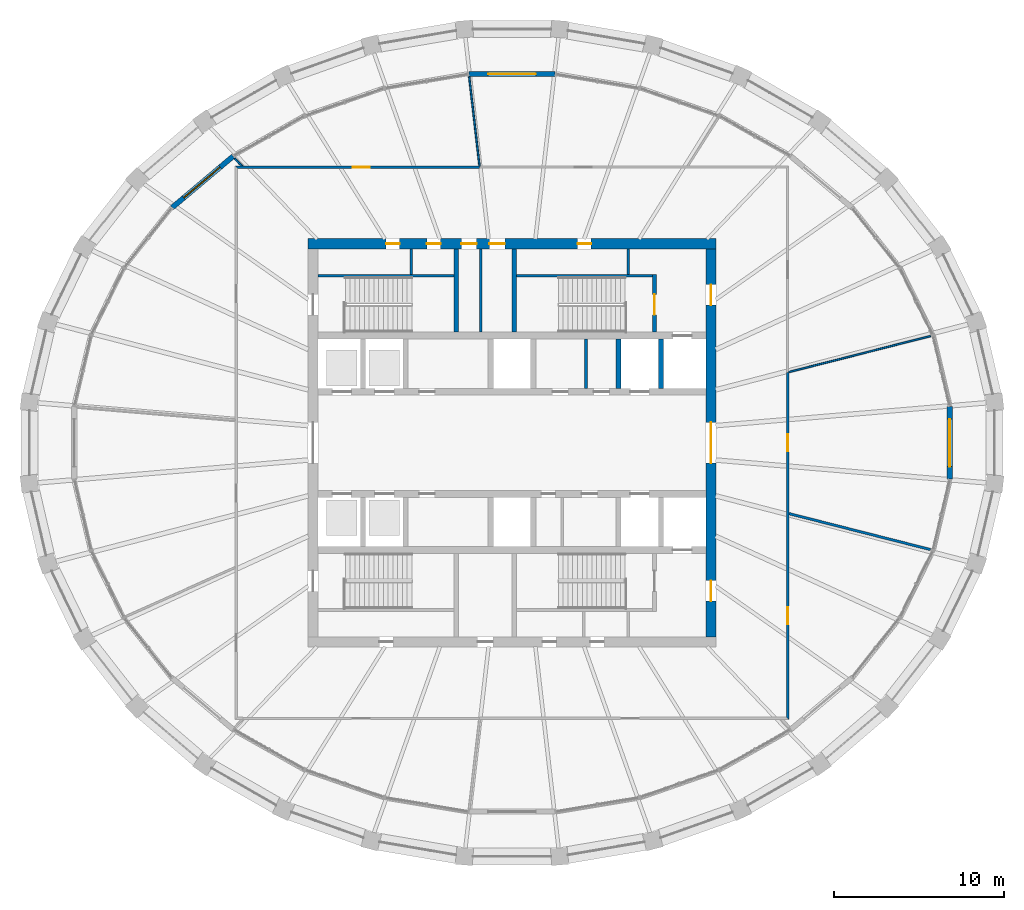
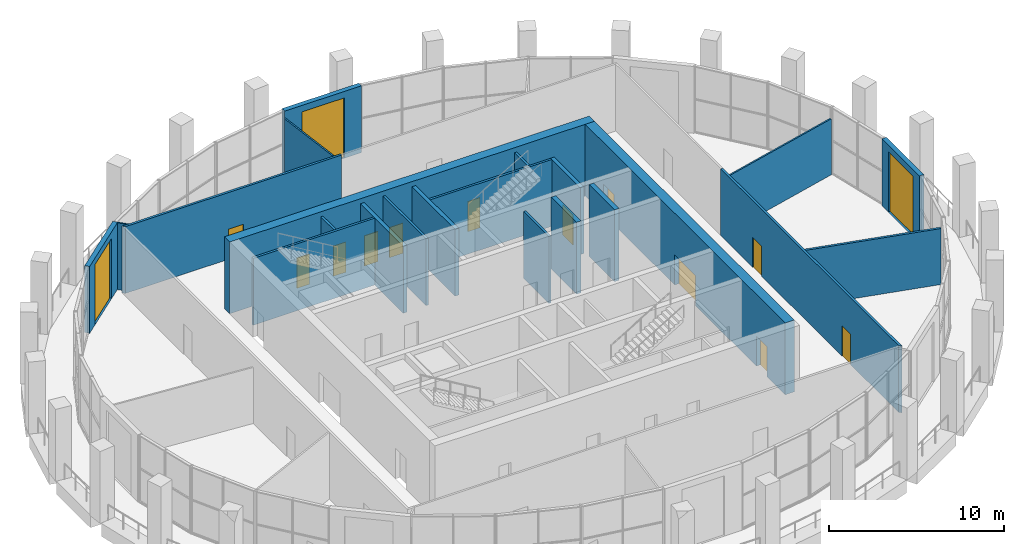
# One storey, part 12 of 16: 22 walls, 15 doors, 15 openings.
"""IFC4 building model written with IfcOpenShell, lengths in metres."""

from ifc_helpers import new_model, si_unit, direction, frame, frame_2d, origin, place, context, subcontext, project, spatial, polyline, rectangle, outline, extrude, material, layer, layer_set, type_object, element, fill, save


model = new_model("IFC4")

# Units and contexts
model_context = context("Model", 3, precision=1e-05, world=origin(), true_north=direction((0.0, 1.0)))
body_context = subcontext(model_context, "Body", "Model", "MODEL_VIEW")
ifc_project = project(units=[si_unit("LENGTHUNIT", "METRE"), si_unit("AREAUNIT", "SQUARE_METRE"), si_unit("VOLUMEUNIT", "CUBIC_METRE"), si_unit("PLANEANGLEUNIT", "RADIAN"), si_unit("MASSUNIT", "GRAM", prefix="KILO")], contexts=[model_context])

# Site, building, storey
site_placement = place(None, origin())
site = spatial("IfcSite", under=ifc_project, at=site_placement, CompositionType="ELEMENT")
building_placement = place(site_placement, origin())
building = spatial("IfcBuilding", under=site, at=building_placement, Name="Halqa Exchange Tower", CompositionType="ELEMENT")
storey_placement = place(building_placement, frame((0.0, 0.0, 333.300048828125)))
storey = spatial("IfcBuildingStorey", under=building, at=storey_placement, Name="L78", CompositionType="ELEMENT", Elevation=333.300048828125)

# Wall
ifc_material_1 = material(Name="Gypsum board")
ifc_layer_1 = layer(ifc_material_1, 0.14990234375)
ifc_layer_set_1 = layer_set([ifc_layer_1], Name="Gypsum board")
wall_type_1 = type_object("IfcWallType", Name="Acoustic partition 150", PredefinedType="PARTITIONING", material=ifc_layer_set_1)
wall_1_placement = place(storey_placement, frame((16.256591796875, -4.154296875, 0.0), z_axis=(0.0, 0.0, 1.0), x_axis=(0.969147734157, -0.246480565922, 0.0)))
element("IfcWall", 1, at=wall_1_placement, inside=storey, type_object=wall_type_1, Name="L78-PWL-016", PredefinedType="PARTITIONING", context=body_context, shape_type="SweptSolid", body=[
    extrude(outline(polyline([(0.0380859375, -0.074951171875), (1.748046875, -0.074951171875), (3.4580078125, -0.074951171875), (5.168212890625, -0.074951171875), (6.878173828125, -0.074951171875), (8.588134765625, -0.074951171875), (8.6015625, -0.011474609375), (8.6015625, 0.074951171875), (6.88134765625, 0.074951171875), (5.160888671875, 0.074951171875), (3.440673828125, 0.074951171875), (1.72021484375, 0.074951171875), (0.0, 0.074951171875), (0.0, 0.07470703125), (0.0380859375, -0.074951171875)])), origin(), (0.0, 0.0, 1.0), 3.89697265625),
])

# Wall, opening, door
ifc_material_2 = material(Name="Fire-rated gypsum board")
ifc_layer_2 = layer(ifc_material_2, 0.14990234375)
ifc_layer_set_2 = layer_set([ifc_layer_2], Name="Fire-rated gypsum board")
wall_type_2 = type_object("IfcWallType", Name="Fire partition EI 60 150", PredefinedType="PARTITIONING", material=ifc_layer_set_2)
wall_2_placement = place(storey_placement, frame((-16.27490234375, 16.199951171875, 0.0), z_axis=(0.0, 0.0, 1.0), x_axis=(1.0, 0.0, 0.0)))
wall_2 = element("IfcWall", 2, at=wall_2_placement, inside=storey, type_object=wall_type_2, Name="L78-PWL-005", PredefinedType="PARTITIONING", context=body_context, shape_type="SweptSolid", body=[
    extrude(outline(polyline([(14.375, 0.074951171875), (12.578125, 0.074951171875), (10.78125, 0.074951171875), (8.984375, 0.074951171875), (7.1875, 0.074951171875), (5.390625, 0.074951171875), (3.59375, 0.074951171875), (1.796875, 0.074951171875), (0.0, 0.074951171875), (0.14990234375, -0.074951171875), (1.927978515625, -0.074951171875), (3.7060546875, -0.074951171875), (5.484375, -0.074951171875), (7.262451171875, -0.074951171875), (9.04052734375, -0.074951171875), (10.81884765625, -0.074951171875), (12.596923828125, -0.074951171875), (14.375, -0.074951171875), (14.375, 0.074951171875)])), origin(), (0.0, 0.0, 1.0), 4.64990234375),
])
opening_1_placement = place(wall_2_placement, frame((6.925048828125, 0.0, 0.0)))
opening_1 = element("IfcOpeningElement", 3, at=opening_1_placement, cuts=wall_2, Name="Opening L78-10", PredefinedType="OPENING", context=body_context, shape_type="SweptSolid", body=[
    extrude(rectangle(XDim=1.0, YDim=2.10009765625, at=frame_2d((0.5, 1.050048828125))), frame((0.0, 0.0869140625, 0.0), z_axis=(0.0, -1.0, 0.0), x_axis=(1.0, 0.0, 0.0)), (0.0, 0.0, 1.0), 0.173828125),
])
ifc_material_3 = material(Name="Steel fire door leaf", Category="steel")
door_type_1 = type_object("IfcDoorType", Name="Fire door FD30S 1000 x 2100", OperationType="SINGLE_SWING_LEFT", PredefinedType="DOOR", material=ifc_material_3)
door_1_placement = place(opening_1_placement, origin())
door_1 = element("IfcDoor", 4, at=door_1_placement, inside=storey, type_object=door_type_1, Name="L78-IDR-010", OperationType="SINGLE_SWING_LEFT", OverallHeight=2.10009765625, OverallWidth=1.0, PredefinedType="DOOR", context=body_context, shape_type="SweptSolid", body=[
    extrude(rectangle(XDim=1.0, YDim=2.10009765625, at=frame_2d((0.5, 1.050048828125))), frame((0.0, 0.02490234375, 0.0), z_axis=(0.0, -1.0, 0.0), x_axis=(1.0, 0.0, 0.0)), (0.0, 0.0, 1.0), 0.050048828125),
])
fill(opening_1, door_1)

# Wall, openings, doors
wall_3_placement = place(storey_placement, frame((16.199951171875, -16.27490234375, 0.0), z_axis=(0.0, 0.0, 1.0), x_axis=(0.0, 1.0, 0.0)))
wall_3 = element("IfcWall", 5, at=wall_3_placement, inside=storey, type_object=wall_type_2, Name="L78-PWL-015", PredefinedType="PARTITIONING", context=body_context, shape_type="SweptSolid", body=[
    extrude(outline(polyline([(20.414794921875, 0.074951171875), (18.572509765625, 0.074951171875), (16.730224609375, 0.074951171875), (14.887939453125, 0.074951171875), (13.045654296875, 0.074951171875), (11.203369140625, 0.074951171875), (9.361328125, 0.074951171875), (7.51904296875, 0.074951171875), (5.6767578125, 0.074951171875), (3.83447265625, 0.074951171875), (1.9921875, 0.074951171875), (0.14990234375, 0.074951171875), (0.0, -0.074951171875), (1.85595703125, -0.074951171875), (3.711669921875, -0.074951171875), (5.567626953125, -0.074951171875), (7.423583984375, -0.074951171875), (9.279541015625, -0.074951171875), (11.13525390625, -0.074951171875), (12.9912109375, -0.074951171875), (14.84716796875, -0.074951171875), (16.703125, -0.074951171875), (18.558837890625, -0.074951171875), (20.414794921875, -0.074951171875), (20.414794921875, 0.074951171875)])), origin(), (0.0, 0.0, 1.0), 4.64990234375),
])
opening_2_placement = place(wall_3_placement, frame((5.60498046875, 0.0, 0.0)))
opening_2 = element("IfcOpeningElement", 6, at=opening_2_placement, cuts=wall_3, Name="Opening L78-06", PredefinedType="OPENING", context=body_context, shape_type="SweptSolid", body=[
    extrude(rectangle(XDim=1.0, YDim=2.10009765625, at=frame_2d((0.5, 1.050048828125))), frame((0.0, 0.0869140625, 0.0), z_axis=(0.0, -1.0, 0.0), x_axis=(1.0, 0.0, 0.0)), (0.0, 0.0, 1.0), 0.173828125),
])
opening_3_placement = place(wall_3_placement, frame((15.77490234375, 0.0, 0.0)))
opening_3 = element("IfcOpeningElement", 7, at=opening_3_placement, cuts=wall_3, Name="Opening L78-07", PredefinedType="OPENING", context=body_context, shape_type="SweptSolid", body=[
    extrude(rectangle(XDim=1.0, YDim=2.10009765625, at=frame_2d((0.5, 1.050048828125))), frame((0.0, 0.0869140625, 0.0), z_axis=(0.0, -1.0, 0.0), x_axis=(1.0, 0.0, 0.0)), (0.0, 0.0, 1.0), 0.173828125),
])
door_2_placement = place(opening_2_placement, frame((1.0, 0.0, 0.0), z_axis=(0.0, 0.0, 1.0), x_axis=(-1.0, 0.0, 0.0)))
door_2 = element("IfcDoor", 8, at=door_2_placement, inside=storey, type_object=door_type_1, Name="L78-IDR-006", OperationType="SINGLE_SWING_RIGHT", OverallHeight=2.10009765625, OverallWidth=1.0, PredefinedType="DOOR", context=body_context, shape_type="SweptSolid", body=[
    extrude(rectangle(XDim=1.0, YDim=2.10009765625, at=frame_2d((0.5, 1.050048828125))), frame((0.0, 0.02490234375, 0.0), z_axis=(0.0, -1.0, 0.0), x_axis=(1.0, 0.0, 0.0)), (0.0, 0.0, 1.0), 0.050048828125),
])
fill(opening_2, door_2)
door_3_placement = place(opening_3_placement, frame((1.0, 0.0, 0.0), z_axis=(0.0, 0.0, 1.0), x_axis=(-1.0, 0.0, 0.0)))
door_3 = element("IfcDoor", 9, at=door_3_placement, inside=storey, type_object=door_type_1, Name="L78-IDR-007", OperationType="SINGLE_SWING_RIGHT", OverallHeight=2.10009765625, OverallWidth=1.0, PredefinedType="DOOR", context=body_context, shape_type="SweptSolid", body=[
    extrude(rectangle(XDim=1.0, YDim=2.10009765625, at=frame_2d((0.5, 1.050048828125))), frame((0.0, 0.02490234375, 0.0), z_axis=(0.0, -1.0, 0.0), x_axis=(1.0, 0.0, 0.0)), (0.0, 0.0, 1.0), 0.050048828125),
])
fill(opening_3, door_3)

# Walls
ifc_layer_3 = layer(ifc_material_1, 0.10009765625)
ifc_layer_set_3 = layer_set([ifc_layer_3], Name="Gypsum board")
wall_type_3 = type_object("IfcWallType", Name="Partition 100 gypsum", PredefinedType="PARTITIONING", material=ifc_layer_set_3)
wall_4_placement = place(storey_placement, frame((-16.306884765625, 16.72119140625, 0.0), z_axis=(0.0, 0.0, 1.0), x_axis=(0.697208357929, -0.71686854139, 0.0)))
element("IfcWall", 10, at=wall_4_placement, inside=storey, type_object=wall_type_3, Name="L78-PWL-001", PredefinedType="PARTITIONING", context=body_context, shape_type="SweptSolid", body=[
    extrude(outline(polyline([(0.0, -0.050048828125), (0.57373046875, -0.050048828125), (0.626953125, 0.004638671875), (0.626953125, 0.004638671875), (0.670654296875, 0.049560546875), (0.670654296875, 0.050048828125), (0.0166015625, 0.050048828125), (0.003662109375, 0.000732421875), (0.0, -0.049072265625), (0.0, -0.050048828125)])), origin(), (0.0, 0.0, 1.0), 4.64990234375),
])
wall_5_placement = place(storey_placement, frame((-1.90625, 16.254638671875, 0.0), z_axis=(0.0, 0.0, 1.0), x_axis=(-0.114877509291, 0.993379664509, 0.0)))
element("IfcWall", 11, at=wall_5_placement, inside=storey, type_object=wall_type_3, Name="L78-PWL-011", PredefinedType="PARTITIONING", context=body_context, shape_type="SweptSolid", body=[
    extrude(outline(polyline([(0.0, -0.050048828125), (1.766357421875, -0.050048828125), (3.53271484375, -0.050048828125), (5.299072265625, -0.050048828125), (5.302490234375, -0.021484375), (5.302490234375, 0.050048828125), (3.543701171875, 0.050048828125), (1.784912109375, 0.050048828125), (0.0263671875, 0.050048828125), (0.01953125, -0.008544921875), (0.004638671875, -0.0068359375), (0.0, -0.046630859375), (0.0, -0.050048828125)])), origin(), (0.0, 0.0, 1.0), 4.14990234375),
])
wall_6_placement = place(storey_placement, frame((16.262939453125, 4.156005859375, 0.0), z_axis=(0.0, 0.0, 1.0), x_axis=(0.969153814145, 0.246456658519, 0.0)))
element("IfcWall", 12, at=wall_6_placement, inside=storey, type_object=wall_type_3, Name="L78-PWL-017", PredefinedType="PARTITIONING", context=body_context, shape_type="SweptSolid", body=[
    extrude(outline(polyline([(8.595458984375, -0.050048828125), (8.595458984375, 0.00927734375), (8.5869140625, 0.050048828125), (6.871337890625, 0.050048828125), (5.156005859375, 0.050048828125), (3.440673828125, 0.050048828125), (1.72509765625, 0.050048828125), (0.009765625, 0.050048828125), (0.0, 0.011962890625), (0.0, -0.0166015625), (0.0078125, -0.0185546875), (0.0, -0.048828125), (0.0, -0.050048828125), (1.718994140625, -0.050048828125), (3.438232421875, -0.050048828125), (5.1572265625, -0.050048828125), (6.87646484375, -0.050048828125), (8.595458984375, -0.050048828125)])), origin(), (0.0, 0.0, 1.0), 3.89697265625),
])
ifc_layer_4 = layer(ifc_material_1, 0.14990234375)
ifc_layer_set_4 = layer_set([ifc_layer_4], Name="Gypsum board")
wall_type_4 = type_object("IfcWallType", Name="Penthouse riser wall 150 gypsum", PredefinedType="PARTITIONING", material=ifc_layer_set_4)
wall_7_placement = place(storey_placement, frame((-1.824951171875, 6.5, 0.0), z_axis=(0.0, 0.0, 1.0), x_axis=(0.0, 1.0, 0.0)))
element("IfcWall", 13, at=wall_7_placement, inside=storey, type_object=wall_type_4, Name="Partition W1.825 N", PredefinedType="PARTITIONING", context=body_context, shape_type="SweptSolid", body=[
    extrude(rectangle(XDim=4.89990234375, YDim=0.14990234375, at=frame_2d((2.449951171875, 0.0))), origin(), (0.0, 0.0, 1.0), 4.64990234375),
])
for number, where, z_axis, x_axis, name in (
    (14, (-5.925048828125, 9.89990234375, 0.0), (0.0, 0.0, 1.0), (0.0, 1.0, 0.0), "Partition W5.925 N"),
    (15, (6.824951171875, 9.89990234375, 0.0), (0.0, 0.0, 1.0), (0.0, 1.0, 0.0), "Firefighting lobby west wall N"),
):
    element("IfcWall", number, at=place(storey_placement, frame(where, z_axis=z_axis, x_axis=x_axis)), inside=storey, type_object=wall_type_4, Name=name, PredefinedType="PARTITIONING", context=body_context, shape_type="SweptSolid", body=[
        extrude(rectangle(XDim=1.5, YDim=0.14990234375, at=frame_2d((0.75, 0.0))), origin(), (0.0, 0.0, 1.0), 4.64990234375),
    ])
wall_8_placement = place(storey_placement, frame((4.35009765625, 3.199951171875, 0.0), z_axis=(0.0, 0.0, 1.0), x_axis=(0.0, 1.0, 0.0)))
element("IfcWall", 16, at=wall_8_placement, inside=storey, type_object=wall_type_4, Name="Freed bay partition NE4.350", PredefinedType="PARTITIONING", context=body_context, shape_type="SweptSolid", body=[
    extrude(rectangle(XDim=2.900146484375, YDim=0.14990234375, at=frame_2d((1.4501953125, 0.0))), origin(), (0.0, 0.0, 1.0), 4.64990234375),
])
ifc_material_4 = material(Name="Concrete C60/75", Category="concrete")
ifc_layer_5 = layer(ifc_material_4, 0.300048828125)
ifc_layer_set_5 = layer_set([ifc_layer_5], Name="Concrete C60/75")
wall_type_5 = type_object("IfcWallType", Name="RC core wall 300", PredefinedType="SHEAR", material=ifc_layer_set_5)
for number, where, z_axis, x_axis, name in (
    (17, (6.25, 3.199951171875, 0.0), (0.0, 0.0, 1.0), (0.0, 1.0, 0.0), "Shaft divider N7"),
    (18, (8.75, 3.199951171875, 0.0), (0.0, 0.0, 1.0), (0.0, 1.0, 0.0), "Shaft divider N8"),
):
    element("IfcWall", number, at=place(storey_placement, frame(where, z_axis=z_axis, x_axis=x_axis)), inside=storey, type_object=wall_type_5, Name=name, PredefinedType="SHEAR", context=body_context, shape_type="SweptSolid", body=[
        extrude(rectangle(XDim=2.900146484375, YDim=0.300048828125, at=frame_2d((1.4501953125, 0.0))), origin(), (0.0, 0.0, 1.0), 5.0),
    ])

# Wall, openings, doors
ifc_layer_6 = layer(ifc_material_4, 0.60009765625)
ifc_layer_set_6 = layer_set([ifc_layer_6], Name="Concrete C60/75")
wall_type_6 = type_object("IfcWallType", Name="RC core wall 600 C60/75", PredefinedType="SHEAR", material=ifc_layer_set_6)
wall_9_placement = place(storey_placement, frame((-12.0, 11.699951171875, 0.0), z_axis=(0.0, 0.0, 1.0), x_axis=(1.0, 0.0, 0.0)))
wall_9 = element("IfcWall", 19, at=wall_9_placement, inside=storey, type_object=wall_type_6, Name="Core wall north", PredefinedType="SHEAR", context=body_context, shape_type="SweptSolid", body=[
    extrude(rectangle(XDim=24.0, YDim=0.60009765625, at=frame_2d((12.0, 0.0))), origin(), (0.0, 0.0, 1.0), 5.0),
])
opening_4_placement = place(wall_9_placement, frame((9.02490234375, 0.0, 0.0)))
opening_4 = element("IfcOpeningElement", 20, at=opening_4_placement, cuts=wall_9, Name="Opening L78-C17", PredefinedType="OPENING", context=body_context, shape_type="SweptSolid", body=[
    extrude(rectangle(XDim=0.89990234375, YDim=2.10009765625, at=frame_2d((0.449951171875, 1.050048828125))), frame((0.0, 0.31201171875, 0.0), z_axis=(0.0, -1.0, 0.0), x_axis=(1.0, 0.0, 0.0)), (0.0, 0.0, 1.0), 0.6240234375),
])
opening_5_placement = place(wall_9_placement, frame((10.675048828125, 0.0, 0.0)))
opening_5 = element("IfcOpeningElement", 21, at=opening_5_placement, cuts=wall_9, Name="Opening L78-C18", PredefinedType="OPENING", context=body_context, shape_type="SweptSolid", body=[
    extrude(rectangle(XDim=0.89990234375, YDim=2.10009765625, at=frame_2d((0.449951171875, 1.050048828125))), frame((0.0, 0.31201171875, 0.0), z_axis=(0.0, -1.0, 0.0), x_axis=(1.0, 0.0, 0.0)), (0.0, 0.0, 1.0), 0.6240234375),
])
opening_6_placement = place(wall_9_placement, frame((4.60009765625, 0.0, 0.0)))
opening_6 = element("IfcOpeningElement", 22, at=opening_6_placement, cuts=wall_9, Name="Opening L78-C19", PredefinedType="OPENING", context=body_context, shape_type="SweptSolid", body=[
    extrude(rectangle(XDim=0.800048828125, YDim=2.10009765625, at=frame_2d((0.39990234375, 1.050048828125))), frame((0.0, 0.31201171875, 0.0), z_axis=(0.0, -1.0, 0.0), x_axis=(1.0, 0.0, 0.0)), (0.0, 0.0, 1.0), 0.6240234375),
])
opening_7_placement = place(wall_9_placement, frame((7.0, 0.0, 0.0)))
opening_7 = element("IfcOpeningElement", 23, at=opening_7_placement, cuts=wall_9, Name="Opening L78-C20", PredefinedType="OPENING", context=body_context, shape_type="SweptSolid", body=[
    extrude(rectangle(XDim=0.800048828125, YDim=2.10009765625, at=frame_2d((0.39990234375, 1.050048828125))), frame((0.0, 0.31201171875, 0.0), z_axis=(0.0, -1.0, 0.0), x_axis=(1.0, 0.0, 0.0)), (0.0, 0.0, 1.0), 0.6240234375),
])
opening_8_placement = place(wall_9_placement, frame((15.85009765625, 0.0, 0.0)))
opening_8 = element("IfcOpeningElement", 24, at=opening_8_placement, cuts=wall_9, Name="Opening L78-C21", PredefinedType="OPENING", context=body_context, shape_type="SweptSolid", body=[
    extrude(rectangle(XDim=0.800048828125, YDim=2.10009765625, at=frame_2d((0.39990234375, 1.050048828125))), frame((0.0, 0.31201171875, 0.0), z_axis=(0.0, -1.0, 0.0), x_axis=(1.0, 0.0, 0.0)), (0.0, 0.0, 1.0), 0.6240234375),
])
ifc_material_5 = material(Name="Timber fire door leaf", Category="wood")
door_type_2 = type_object("IfcDoorType", Name="Core room door FD30 900 x 2100", OperationType="SINGLE_SWING_LEFT", PredefinedType="DOOR", material=ifc_material_5)
door_4_placement = place(opening_4_placement, frame((0.89990234375, 0.0, 0.0), z_axis=(0.0, 0.0, 1.0), x_axis=(-1.0, 0.0, 0.0)))
door_4 = element("IfcDoor", 25, at=door_4_placement, inside=storey, type_object=door_type_2, Name="Core room door", OperationType="SINGLE_SWING_LEFT", OverallHeight=2.10009765625, OverallWidth=0.89990234375, PredefinedType="DOOR", context=body_context, shape_type="SweptSolid", body=[
    extrude(rectangle(XDim=0.89990234375, YDim=2.10009765625, at=frame_2d((0.449951171875, 1.050048828125))), frame((0.0, 0.02490234375, 0.0), z_axis=(0.0, -1.0, 0.0), x_axis=(1.0, 0.0, 0.0)), (0.0, 0.0, 1.0), 0.050048828125),
])
fill(opening_4, door_4)
door_5_placement = place(opening_5_placement, frame((0.89990234375, 0.0, 0.0), z_axis=(0.0, 0.0, 1.0), x_axis=(-1.0, 0.0, 0.0)))
door_5 = element("IfcDoor", 26, at=door_5_placement, inside=storey, type_object=door_type_2, Name="Core room door", OperationType="SINGLE_SWING_RIGHT", OverallHeight=2.10009765625, OverallWidth=0.89990234375, PredefinedType="DOOR", context=body_context, shape_type="SweptSolid", body=[
    extrude(rectangle(XDim=0.89990234375, YDim=2.10009765625, at=frame_2d((0.449951171875, 1.050048828125))), frame((0.0, 0.02490234375, 0.0), z_axis=(0.0, -1.0, 0.0), x_axis=(1.0, 0.0, 0.0)), (0.0, 0.0, 1.0), 0.050048828125),
])
fill(opening_5, door_5)
door_type_3 = type_object("IfcDoorType", Name="Riser door FD60 800 x 2100", OperationType="SINGLE_SWING_LEFT", PredefinedType="DOOR", material=ifc_material_3)
door_6_placement = place(opening_6_placement, frame((0.800048828125, 0.0, 0.0), z_axis=(0.0, 0.0, 1.0), x_axis=(-1.0, 0.0, 0.0)))
door_6 = element("IfcDoor", 27, at=door_6_placement, inside=storey, type_object=door_type_3, Name="Core room door", OperationType="SINGLE_SWING_RIGHT", OverallHeight=2.10009765625, OverallWidth=0.800048828125, PredefinedType="DOOR", context=body_context, shape_type="SweptSolid", body=[
    extrude(rectangle(XDim=0.800048828125, YDim=2.10009765625, at=frame_2d((0.39990234375, 1.050048828125))), frame((0.0, 0.02490234375, 0.0), z_axis=(0.0, -1.0, 0.0), x_axis=(1.0, 0.0, 0.0)), (0.0, 0.0, 1.0), 0.050048828125),
])
fill(opening_6, door_6)
door_7_placement = place(opening_7_placement, frame((0.800048828125, 0.0, 0.0), z_axis=(0.0, 0.0, 1.0), x_axis=(-1.0, 0.0, 0.0)))
door_7 = element("IfcDoor", 28, at=door_7_placement, inside=storey, type_object=door_type_3, Name="Core room door", OperationType="SINGLE_SWING_LEFT", OverallHeight=2.10009765625, OverallWidth=0.800048828125, PredefinedType="DOOR", context=body_context, shape_type="SweptSolid", body=[
    extrude(rectangle(XDim=0.800048828125, YDim=2.10009765625, at=frame_2d((0.39990234375, 1.050048828125))), frame((0.0, 0.02490234375, 0.0), z_axis=(0.0, -1.0, 0.0), x_axis=(1.0, 0.0, 0.0)), (0.0, 0.0, 1.0), 0.050048828125),
])
fill(opening_7, door_7)
door_8_placement = place(opening_8_placement, frame((0.800048828125, 0.0, 0.0), z_axis=(0.0, 0.0, 1.0), x_axis=(-1.0, 0.0, 0.0)))
door_8 = element("IfcDoor", 29, at=door_8_placement, inside=storey, type_object=door_type_3, Name="Core room door", OperationType="SINGLE_SWING_RIGHT", OverallHeight=2.10009765625, OverallWidth=0.800048828125, PredefinedType="DOOR", context=body_context, shape_type="SweptSolid", body=[
    extrude(rectangle(XDim=0.800048828125, YDim=2.10009765625, at=frame_2d((0.39990234375, 1.050048828125))), frame((0.0, 0.02490234375, 0.0), z_axis=(0.0, -1.0, 0.0), x_axis=(1.0, 0.0, 0.0)), (0.0, 0.0, 1.0), 0.050048828125),
])
fill(opening_8, door_8)

wall_10_placement = place(storey_placement, frame((11.699951171875, -11.39990234375, 0.0), z_axis=(0.0, 0.0, 1.0), x_axis=(0.0, 1.0, 0.0)))
wall_10 = element("IfcWall", 30, at=wall_10_placement, inside=storey, type_object=wall_type_6, Name="Core wall east", PredefinedType="SHEAR", context=body_context, shape_type="SweptSolid", body=[
    extrude(rectangle(XDim=22.7998046875, YDim=0.60009765625, at=frame_2d((11.39990234375, 0.0))), origin(), (0.0, 0.0, 1.0), 5.0),
])
opening_9_placement = place(wall_10_placement, frame((10.199951171875, 0.0, 0.0)))
opening_9 = element("IfcOpeningElement", 31, at=opening_9_placement, cuts=wall_10, Name="Opening L78-C10", PredefinedType="OPENING", context=body_context, shape_type="SweptSolid", body=[
    extrude(rectangle(XDim=2.39990234375, YDim=2.10009765625, at=frame_2d((1.199951171875, 1.050048828125))), frame((0.0, 0.31201171875, 0.0), z_axis=(0.0, -1.0, 0.0), x_axis=(1.0, 0.0, 0.0)), (0.0, 0.0, 1.0), 0.6240234375),
])
opening_10_placement = place(wall_10_placement, frame((19.5, 0.0, 0.0)))
opening_10 = element("IfcOpeningElement", 32, at=opening_10_placement, cuts=wall_10, Name="Opening L78-C15", PredefinedType="OPENING", context=body_context, shape_type="SweptSolid", body=[
    extrude(rectangle(XDim=1.199951171875, YDim=2.10009765625, at=frame_2d((0.60009765625, 1.050048828125))), frame((0.0, 0.31201171875, 0.0), z_axis=(0.0, -1.0, 0.0), x_axis=(1.0, 0.0, 0.0)), (0.0, 0.0, 1.0), 0.6240234375),
])
opening_11_placement = place(wall_10_placement, frame((2.10009765625, 0.0, 0.0)))
opening_11 = element("IfcOpeningElement", 33, at=opening_11_placement, cuts=wall_10, Name="Opening L78-C16", PredefinedType="OPENING", context=body_context, shape_type="SweptSolid", body=[
    extrude(rectangle(XDim=1.199951171875, YDim=2.10009765625, at=frame_2d((0.60009765625, 1.050048828125))), frame((0.0, 0.31201171875, 0.0), z_axis=(0.0, -1.0, 0.0), x_axis=(1.0, 0.0, 0.0)), (0.0, 0.0, 1.0), 0.6240234375),
])
door_type_4 = type_object("IfcDoorType", Name="Firefighting lobby door FD90 1200 x 2100", OperationType="SINGLE_SWING_RIGHT", PredefinedType="DOOR", material=ifc_material_3)
door_9_placement = place(opening_10_placement, origin())
door_9 = element("IfcDoor", 34, at=door_9_placement, inside=storey, type_object=door_type_4, Name="Firefighting lobby door", OperationType="SINGLE_SWING_RIGHT", OverallHeight=2.10009765625, OverallWidth=1.199951171875, PredefinedType="DOOR", context=body_context, shape_type="SweptSolid", body=[
    extrude(rectangle(XDim=1.199951171875, YDim=2.10009765625, at=frame_2d((0.60009765625, 1.050048828125))), frame((0.0, 0.02490234375, 0.0), z_axis=(0.0, -1.0, 0.0), x_axis=(1.0, 0.0, 0.0)), (0.0, 0.0, 1.0), 0.050048828125),
])
fill(opening_10, door_9)
door_10_placement = place(opening_11_placement, origin())
door_10 = element("IfcDoor", 35, at=door_10_placement, inside=storey, type_object=door_type_4, Name="Firefighting lobby door", OperationType="SINGLE_SWING_LEFT", OverallHeight=2.10009765625, OverallWidth=1.199951171875, PredefinedType="DOOR", context=body_context, shape_type="SweptSolid", body=[
    extrude(rectangle(XDim=1.199951171875, YDim=2.10009765625, at=frame_2d((0.60009765625, 1.050048828125))), frame((0.0, 0.02490234375, 0.0), z_axis=(0.0, -1.0, 0.0), x_axis=(1.0, 0.0, 0.0)), (0.0, 0.0, 1.0), 0.050048828125),
])
fill(opening_11, door_10)
door_type_5 = type_object("IfcDoorType", Name="Lobby double door FD60 2400 x 2100", OperationType="DOUBLE_DOOR_SINGLE_SWING", PredefinedType="DOOR", material=ifc_material_3)
door_11_placement = place(opening_9_placement, origin())
door_11 = element("IfcDoor", 36, at=door_11_placement, inside=storey, type_object=door_type_5, Name="Lift lobby double door", OperationType="DOUBLE_DOOR_SINGLE_SWING", OverallHeight=2.10009765625, OverallWidth=2.39990234375, PredefinedType="DOOR", context=body_context, shape_type="SweptSolid", body=[
    extrude(rectangle(XDim=2.39990234375, YDim=2.10009765625, at=frame_2d((1.199951171875, 1.050048828125))), frame((0.0, 0.02490234375, 0.0), z_axis=(0.0, -1.0, 0.0), x_axis=(1.0, 0.0, 0.0)), (0.0, 0.0, 1.0), 0.050048828125),
])
fill(opening_9, door_11)

# Walls
ifc_material_6 = material(Name="Concrete C30/37", Category="concrete")
ifc_layer_7 = layer(ifc_material_6, 0.14990234375)
ifc_layer_set_7 = layer_set([ifc_layer_7], Name="Concrete C30/37")
wall_type_7 = type_object("IfcWallType", Name="RC stair wall 150 C30/37", PredefinedType="SHEAR", material=ifc_layer_set_7)
for number, where, z_axis, x_axis, name in (
    (37, (-11.39990234375, 9.824951171875, 0.0), (0.0, 0.0, 1.0), (1.0, 0.0, 0.0), "Stair ST1 north wall N"),
    (38, (0.25, 9.824951171875, 0.0), (0.0, 0.0, 1.0), (1.0, 0.0, 0.0), "Stair ST2 north wall N"),
):
    element("IfcWall", number, at=place(storey_placement, frame(where, z_axis=z_axis, x_axis=x_axis)), inside=storey, type_object=wall_type_7, Name=name, PredefinedType="SHEAR", context=body_context, shape_type="SweptSolid", body=[
        extrude(rectangle(XDim=8.0, YDim=0.14990234375, at=frame_2d((4.0, 0.0))), origin(), (0.0, 0.0, 1.0), 4.64990234375),
    ])
ifc_layer_8 = layer(ifc_material_6, 0.25)
ifc_layer_set_8 = layer_set([ifc_layer_8], Name="Concrete C30/37")
wall_type_8 = type_object("IfcWallType", Name="RC stair wall 250 C30/37", PredefinedType="SHEAR", material=ifc_layer_set_8)
for number, where, z_axis, x_axis, name in (
    (39, (-3.27490234375, 6.5, 0.0), (0.0, 0.0, 1.0), (0.0, 1.0, 0.0), "Stair ST1 east wall N"),
    (40, (0.125, 6.5, 0.0), (0.0, 0.0, 1.0), (0.0, 1.0, 0.0), "Stair ST2 west wall N"),
):
    element("IfcWall", number, at=place(storey_placement, frame(where, z_axis=z_axis, x_axis=x_axis)), inside=storey, type_object=wall_type_8, Name=name, PredefinedType="SHEAR", context=body_context, shape_type="SweptSolid", body=[
        extrude(rectangle(XDim=4.89990234375, YDim=0.25, at=frame_2d((2.449951171875, 0.0))), origin(), (0.0, 0.0, 1.0), 4.64990234375),
    ])

# Wall, opening, door
wall_11_placement = place(storey_placement, frame((8.375, 6.5, 0.0), z_axis=(0.0, 0.0, 1.0), x_axis=(0.0, 1.0, 0.0)))
wall_11 = element("IfcWall", 41, at=wall_11_placement, inside=storey, type_object=wall_type_8, Name="Stair ST2 east wall N", PredefinedType="SHEAR", context=body_context, shape_type="SweptSolid", body=[
    extrude(rectangle(XDim=3.39990234375, YDim=0.25, at=frame_2d((1.699951171875, 0.0))), origin(), (0.0, 0.0, 1.0), 4.64990234375),
])
opening_12_placement = place(wall_11_placement, frame((1.02490234375, 0.0, 0.0)))
opening_12 = element("IfcOpeningElement", 42, at=opening_12_placement, cuts=wall_11, Name="Opening L78-C12", PredefinedType="OPENING", context=body_context, shape_type="SweptSolid", body=[
    extrude(rectangle(XDim=1.199951171875, YDim=2.10009765625, at=frame_2d((0.60009765625, 1.050048828125))), frame((0.0, 0.136962890625, 0.0), z_axis=(0.0, -1.0, 0.0), x_axis=(1.0, 0.0, 0.0)), (0.0, 0.0, 1.0), 0.27392578125),
])
door_type_6 = type_object("IfcDoorType", Name="Stair door FD90 1200 x 2100", OperationType="SINGLE_SWING_LEFT", PredefinedType="DOOR", material=ifc_material_3)
door_12_placement = place(opening_12_placement, origin())
door_12 = element("IfcDoor", 43, at=door_12_placement, inside=storey, type_object=door_type_6, Name="Stair door ST2", OperationType="SINGLE_SWING_LEFT", OverallHeight=2.10009765625, OverallWidth=1.199951171875, PredefinedType="DOOR", context=body_context, shape_type="SweptSolid", body=[
    extrude(rectangle(XDim=1.199951171875, YDim=2.10009765625, at=frame_2d((0.60009765625, 1.050048828125))), frame((0.0, 0.02490234375, 0.0), z_axis=(0.0, -1.0, 0.0), x_axis=(1.0, 0.0, 0.0)), (0.0, 0.0, 1.0), 0.050048828125),
])
fill(opening_12, door_12)

ifc_material_7 = material(Name="Limestone cladding", Category="masonry")
ifc_layer_9 = layer(ifc_material_7, 0.0400390625)
ifc_material_8 = material(Name="Ventilated cavity")
ifc_layer_10 = layer(ifc_material_8, 0.030029296875, ventilated=True)
ifc_material_9 = material(Name="Mineral wool insulation")
ifc_layer_11 = layer(ifc_material_9, 0.10009765625)
ifc_layer_12 = layer(ifc_material_6, 0.10009765625)
ifc_material_10 = material(Name="Internal plaster")
ifc_layer_13 = layer(ifc_material_10, 0.030029296875)
ifc_layer_set_9 = layer_set([ifc_layer_9, ifc_layer_10, ifc_layer_11, ifc_layer_12, ifc_layer_13], Name="Stone-faced insulated wall 300")
wall_type_9 = type_object("IfcWallType", Name="Stone-faced insulated wall 300", PredefinedType="STANDARD", material=ifc_layer_set_9)
wall_12_placement = place(storey_placement, frame((2.531494140625, 21.674560546875, 0.0), z_axis=(0.0, 0.0, 1.0), x_axis=(-1.0, 0.0, 0.0)))
wall_12 = element("IfcWall", 44, at=wall_12_placement, inside=storey, type_object=wall_type_9, Name="Glass-line wall 8", PredefinedType="STANDARD", context=body_context, shape_type="SweptSolid", body=[
    extrude(outline(polyline([(0.0, -0.14990234375), (5.06298828125, -0.14990234375), (5.06298828125, 0.14990234375), (0.0, 0.14990234375), (0.0, -0.14990234375)])), origin(), (0.0, 0.0, 1.0), 4.64990234375),
])
opening_13_placement = place(wall_12_placement, frame((1.131591796875, 0.0, 0.0)))
opening_13 = element("IfcOpeningElement", 45, at=opening_13_placement, cuts=wall_12, Name="Opening LGS-F4-02", PredefinedType="OPENING", context=body_context, shape_type="SweptSolid", body=[
    extrude(rectangle(XDim=2.800048828125, YDim=4.199951171875, at=frame_2d((1.39990234375, 2.10009765625))), frame((0.0, 0.162109375, 0.0), z_axis=(0.0, -1.0, 0.0), x_axis=(1.0, 0.0, 0.0)), (0.0, 0.0, 1.0), 0.323974609375),
])
ifc_material_11 = material(Name="Clear low-emissivity glass in aluminium frame", Category="aluminium")
door_type_7 = type_object("IfcDoorType", Name="Glazed sliding balcony door 2800 x 4200", OperationType="DOUBLE_DOOR_SLIDING", PredefinedType="DOOR", material=ifc_material_11)
door_13_placement = place(opening_13_placement, origin())
door_13 = element("IfcDoor", 46, at=door_13_placement, inside=storey, type_object=door_type_7, Name="Loggia door 2", OperationType="DOUBLE_DOOR_SLIDING", OverallHeight=4.199951171875, OverallWidth=2.800048828125, PredefinedType="DOOR", context=body_context, shape_type="SweptSolid", body=[
    extrude(rectangle(XDim=2.800048828125, YDim=4.199951171875, at=frame_2d((1.39990234375, 2.10009765625))), frame((0.0, 0.02490234375, 0.0), z_axis=(0.0, -1.0, 0.0), x_axis=(1.0, 0.0, 0.0)), (0.0, 0.0, 1.0), 0.050048828125),
])
fill(opening_13, door_13)

wall_13_placement = place(storey_placement, frame((-16.3896484375, 16.843017578125, 0.0), z_axis=(0.0, 0.0, 1.0), x_axis=(-0.765128700347, -0.643877373344, 0.0)))
wall_13 = element("IfcWall", 47, at=wall_13_placement, inside=storey, type_object=wall_type_9, Name="Glass-line wall 12", PredefinedType="STANDARD", context=body_context, shape_type="SweptSolid", body=[
    extrude(outline(polyline([(0.0, -0.14990234375), (4.685546875, -0.14990234375), (4.685546875, 0.14990234375), (0.0, 0.14990234375), (0.0, -0.14990234375)])), origin(), (0.0, 0.0, 1.0), 4.64990234375),
])
opening_14_placement = place(wall_13_placement, frame((0.99267578125, 0.0, 0.0)))
opening_14 = element("IfcOpeningElement", 48, at=opening_14_placement, cuts=wall_13, Name="Opening LGS-F4-03", PredefinedType="OPENING", context=body_context, shape_type="SweptSolid", body=[
    extrude(rectangle(XDim=2.800048828125, YDim=4.199951171875, at=frame_2d((1.39990234375, 2.10009765625))), frame((0.0, 0.162109375, 0.0), z_axis=(0.0, -1.0, 0.0), x_axis=(1.0, 0.0, 0.0)), (0.0, 0.0, 1.0), 0.323974609375),
])
door_14_placement = place(opening_14_placement, origin())
door_14 = element("IfcDoor", 49, at=door_14_placement, inside=storey, type_object=door_type_7, Name="Loggia door 3", OperationType="DOUBLE_DOOR_SLIDING", OverallHeight=4.199951171875, OverallWidth=2.800048828125, PredefinedType="DOOR", context=body_context, shape_type="SweptSolid", body=[
    extrude(rectangle(XDim=2.800048828125, YDim=4.199951171875, at=frame_2d((1.39990234375, 2.10009765625))), frame((0.0, 0.02490234375, 0.0), z_axis=(0.0, -1.0, 0.0), x_axis=(1.0, 0.0, 0.0)), (0.0, 0.0, 1.0), 0.050048828125),
])
fill(opening_14, door_14)

wall_14_placement = place(storey_placement, frame((25.726318359375, -2.137451171875, 0.0), z_axis=(0.0, 0.0, 1.0), x_axis=(0.0, 1.0, 0.0)))
wall_14 = element("IfcWall", 50, at=wall_14_placement, inside=storey, type_object=wall_type_9, Name="Glass-line wall 32", PredefinedType="STANDARD", context=body_context, shape_type="SweptSolid", body=[
    extrude(outline(polyline([(0.0, -0.14990234375), (4.27490234375, -0.14990234375), (4.27490234375, 0.14990234375), (0.0, 0.14990234375), (0.0, -0.14990234375)])), origin(), (0.0, 0.0, 1.0), 4.64990234375),
])
opening_15_placement = place(wall_14_placement, frame((0.737548828125, 0.0, 0.0)))
opening_15 = element("IfcOpeningElement", 51, at=opening_15_placement, cuts=wall_14, Name="Opening LGS-F4-08", PredefinedType="OPENING", context=body_context, shape_type="SweptSolid", body=[
    extrude(rectangle(XDim=2.800048828125, YDim=4.199951171875, at=frame_2d((1.39990234375, 2.10009765625))), frame((0.0, 0.162109375, 0.0), z_axis=(0.0, -1.0, 0.0), x_axis=(1.0, 0.0, 0.0)), (0.0, 0.0, 1.0), 0.323974609375),
])
door_15_placement = place(opening_15_placement, origin())
door_15 = element("IfcDoor", 52, at=door_15_placement, inside=storey, type_object=door_type_7, Name="Loggia door 8", OperationType="DOUBLE_DOOR_SLIDING", OverallHeight=4.199951171875, OverallWidth=2.800048828125, PredefinedType="DOOR", context=body_context, shape_type="SweptSolid", body=[
    extrude(rectangle(XDim=2.800048828125, YDim=4.199951171875, at=frame_2d((1.39990234375, 2.10009765625))), frame((0.0, 0.02490234375, 0.0), z_axis=(0.0, -1.0, 0.0), x_axis=(1.0, 0.0, 0.0)), (0.0, 0.0, 1.0), 0.050048828125),
])
fill(opening_15, door_15)

save(model, "model.ifc")
